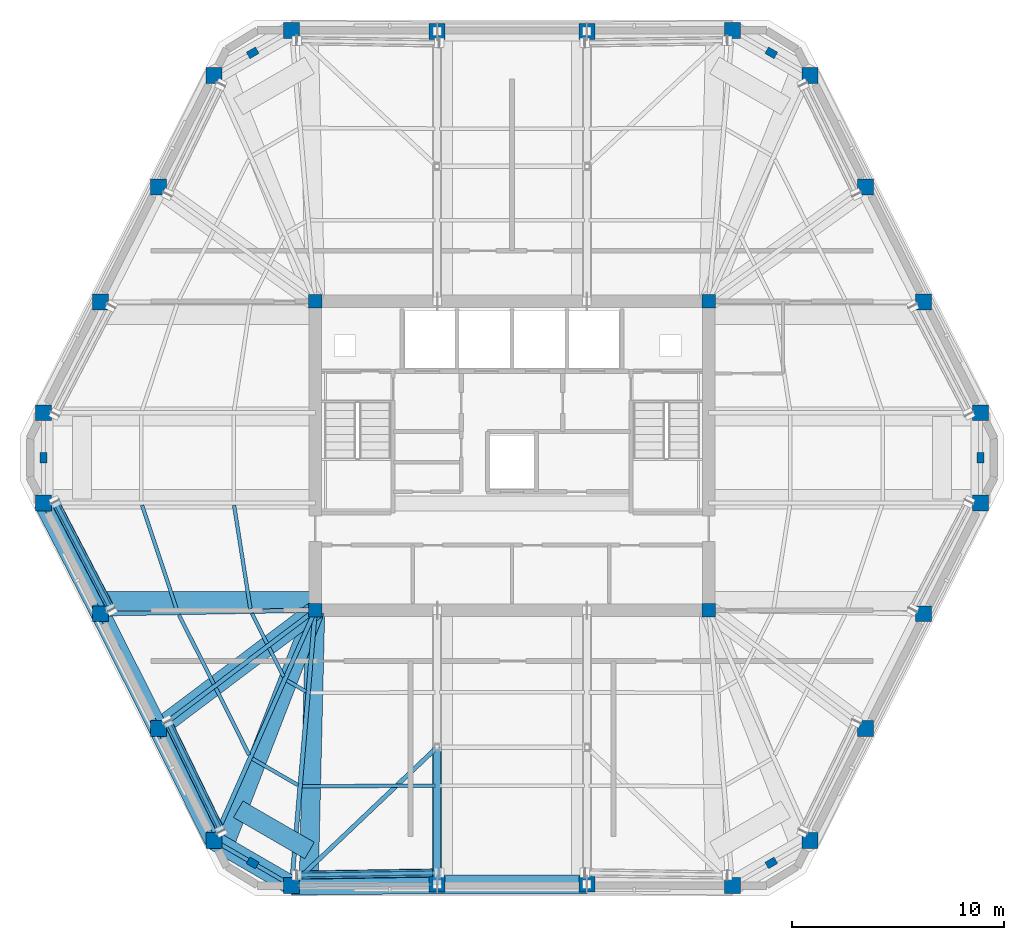
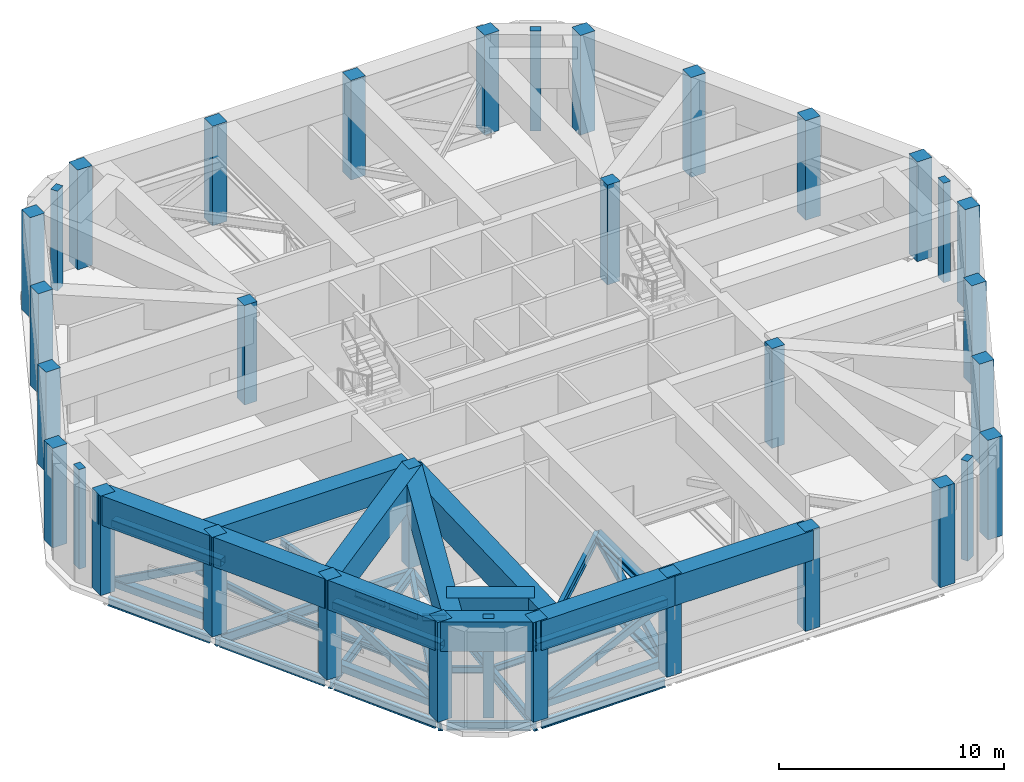
# One storey, part 1 of 15: 34 columns, 30 beams, 12 members.
"""IFC4 building model written with IfcOpenShell, lengths in metres."""

from ifc_helpers import new_model, si_unit, direction, frame, origin, origin_2d, place, context, subcontext, project, spatial, rectangle, hollow_rectangle, i_section, extrude, material, material_profile, profile_set, type_object, element, save


model = new_model("IFC4")

# Units and contexts
model_context = context("Model", 3, precision=1e-05, world=origin(), true_north=direction((0.0, 1.0)))
body_context = subcontext(model_context, "Body", "Model", "MODEL_VIEW")
ifc_project = project(units=[si_unit("LENGTHUNIT", "METRE"), si_unit("AREAUNIT", "SQUARE_METRE"), si_unit("VOLUMEUNIT", "CUBIC_METRE"), si_unit("PLANEANGLEUNIT", "RADIAN"), si_unit("MASSUNIT", "GRAM", prefix="KILO")], contexts=[model_context])

# Site, building, storey
site_placement = place(None, origin())
site = spatial("IfcSite", under=ifc_project, at=site_placement, CompositionType="ELEMENT")
building_placement = place(site_placement, origin())
building = spatial("IfcBuilding", under=site, at=building_placement, Name="Cinnabar Lancet Tower", CompositionType="ELEMENT")
storey_placement = place(building_placement, frame((0.0, 0.0, 221.60009765625)))
storey = spatial("IfcBuildingStorey", under=building, at=storey_placement, Name="L59", CompositionType="ELEMENT", Elevation=221.60009765625)

# Columns
ifc_material_1 = material(Name="Concrete C60/75", Category="concrete")
ifc_material_profile_1 = material_profile(ifc_material_1, rectangle(XDim=0.64990234375, YDim=0.64990234375, at=origin_2d()), Name="RC-COL 650x650")
ifc_profile_set_1 = profile_set([ifc_material_profile_1], Name="Concrete C60/75")
column_type_1 = type_object("IfcColumnType", Name="STR-COL-CORE-650", PredefinedType="COLUMN", material=ifc_profile_set_1)
for number, where, z_axis, x_axis, name in (
    (1, (23.10009765625, 18.60009765625, 0.0), (0.0, 0.0, 1.0), (1.0, 0.0, 0.0), "L59 Core Corner Column SW"),
    (2, (41.699951171875, 18.60009765625, 0.0), (0.0, 0.0, 1.0), (1.0, 0.0, 0.0), "L59 Core Corner Column SE"),
    (3, (41.699951171875, 33.199951171875, 0.0), (0.0, 0.0, 1.0), (1.0, 0.0, 0.0), "L59 Core Corner Column NE"),
    (4, (23.10009765625, 33.199951171875, 0.0), (0.0, 0.0, 1.0), (1.0, 0.0, 0.0), "L59 Core Corner Column NW"),
):
    element("IfcColumn", number, at=place(storey_placement, frame(where, z_axis=z_axis, x_axis=x_axis)), inside=storey, type_object=column_type_1, Name=name, PredefinedType="COLUMN", context=body_context, shape_type="SweptSolid", body=[
        extrude(rectangle(XDim=0.64990234375, YDim=0.64990234375, at=origin_2d()), origin(), (0.0, 0.0, 1.0), 5.39990234375),
    ])
ifc_material_2 = material(Name="Concrete C60/75", Category="concrete")
ifc_material_profile_2 = material_profile(ifc_material_2, rectangle(XDim=0.5, YDim=0.35009765625, at=origin_2d()), Name="RC-PIL 500x350")
ifc_profile_set_2 = profile_set([ifc_material_profile_2], Name="Concrete C60/75")
column_type_2 = type_object("IfcColumnType", Name="STR-COL-PIL-500", PredefinedType="PILASTER", material=ifc_profile_set_2)
for number, where, z_axis, x_axis, name in (
    (5, (20.14208984375, 6.654052734375, 0.0), (0.0, 0.0, 1.0), (0.865230187018, -0.501374833306, 0.0), "L59 Chamfered Corner Pilaster 1"),
    (6, (44.657958984375, 6.654052734375, 0.0), (0.0, 0.0, 1.0), (0.865230187018, 0.501374833306, 0.0), "L59 Chamfered Corner Pilaster 2"),
    (7, (54.547119140625, 25.800048828125, 0.0), (0.0, 0.0, 1.0), (0.0, 1.0, 0.0), "L59 Chamfered Corner Pilaster 3"),
    (8, (44.657958984375, 44.947021484375, 0.0), (0.0, 0.0, 1.0), (-0.865230187018, 0.501374833306, 0.0), "L59 Chamfered Corner Pilaster 4"),
    (9, (20.14208984375, 44.947021484375, 0.0), (0.0, 0.0, 1.0), (-0.865230187018, -0.501374833306, 0.0), "L59 Chamfered Corner Pilaster 5"),
    (10, (10.2529296875, 25.800048828125, 0.0), (0.0, 0.0, 1.0), (0.0, -1.0, 0.0), "L59 Chamfered Corner Pilaster 6"),
):
    element("IfcColumn", number, at=place(storey_placement, frame(where, z_axis=z_axis, x_axis=x_axis)), inside=storey, type_object=column_type_2, Name=name, PredefinedType="PILASTER", context=body_context, shape_type="SweptSolid", body=[
        extrude(rectangle(XDim=0.5, YDim=0.35009765625, at=origin_2d()), origin(), (0.0, 0.0, 1.0), 5.39990234375),
    ])
ifc_material_3 = material(Name="Concrete C50/60", Category="concrete")
ifc_material_profile_3 = material_profile(ifc_material_3, rectangle(XDim=0.75, YDim=0.75, at=origin_2d()), Name="RC-COL 750x750")
ifc_profile_set_3 = profile_set([ifc_material_profile_3], Name="Concrete C50/60")
column_type_3 = type_object("IfcColumnType", Name="STR-COL-TUBE-750", PredefinedType="COLUMN", material=ifc_profile_set_3)
for number, where, z_axis, x_axis, name in (
    (11, (21.97900390625, 5.589111328125, 0.0), (0.0, 0.0, 1.0), (1.0, 0.0, 0.0), "L59 Perimeter Tube Column 1"),
    (12, (28.85693359375, 5.64208984375, 0.0), (0.0, 0.0, 1.0), (1.0, 0.0, 0.0), "L59 Perimeter Tube Column 2"),
    (13, (35.943115234375, 5.64208984375, 0.0), (0.0, 0.0, 1.0), (1.0, 0.0, 0.0), "L59 Perimeter Tube Column 3"),
    (14, (42.821044921875, 5.589111328125, 0.0), (0.0, 0.0, 1.0), (1.0, 0.0, 0.0), "L59 Perimeter Tube Column 4"),
    (15, (46.4951171875, 7.718017578125, 0.0), (0.0, 0.0, 1.0), (1.0, 0.0, 0.0), "L59 Perimeter Tube Column 5"),
    (16, (49.118896484375, 13.0009765625, 0.0), (0.0, 0.0, 1.0), (1.0, 0.0, 0.0), "L59 Perimeter Tube Column 6"),
    (17, (51.85791015625, 18.428955078125, 0.0), (0.0, 0.0, 1.0), (1.0, 0.0, 0.0), "L59 Perimeter Tube Column 7"),
    (18, (54.547119140625, 23.66796875, 0.0), (0.0, 0.0, 1.0), (1.0, 0.0, 0.0), "L59 Perimeter Tube Column 8"),
    (19, (54.547119140625, 27.931884765625, 0.0), (0.0, 0.0, 1.0), (1.0, 0.0, 0.0), "L59 Perimeter Tube Column 9"),
    (20, (51.85791015625, 33.1708984375, 0.0), (0.0, 0.0, 1.0), (1.0, 0.0, 0.0), "L59 Perimeter Tube Column 10"),
    (21, (49.118896484375, 38.59912109375, 0.0), (0.0, 0.0, 1.0), (1.0, 0.0, 0.0), "L59 Perimeter Tube Column 11"),
    (22, (46.4951171875, 43.882080078125, 0.0), (0.0, 0.0, 1.0), (1.0, 0.0, 0.0), "L59 Perimeter Tube Column 12"),
    (23, (42.821044921875, 46.010986328125, 0.0), (0.0, 0.0, 1.0), (1.0, 0.0, 0.0), "L59 Perimeter Tube Column 13"),
    (24, (35.943115234375, 45.9580078125, 0.0), (0.0, 0.0, 1.0), (1.0, 0.0, 0.0), "L59 Perimeter Tube Column 14"),
    (25, (28.85693359375, 45.9580078125, 0.0), (0.0, 0.0, 1.0), (1.0, 0.0, 0.0), "L59 Perimeter Tube Column 15"),
    (26, (21.97900390625, 46.010986328125, 0.0), (0.0, 0.0, 1.0), (1.0, 0.0, 0.0), "L59 Perimeter Tube Column 16"),
    (27, (18.304931640625, 43.882080078125, 0.0), (0.0, 0.0, 1.0), (1.0, 0.0, 0.0), "L59 Perimeter Tube Column 17"),
    (28, (15.680908203125, 38.59912109375, 0.0), (0.0, 0.0, 1.0), (1.0, 0.0, 0.0), "L59 Perimeter Tube Column 18"),
    (29, (12.94189453125, 33.1708984375, 0.0), (0.0, 0.0, 1.0), (1.0, 0.0, 0.0), "L59 Perimeter Tube Column 19"),
    (30, (10.2529296875, 27.931884765625, 0.0), (0.0, 0.0, 1.0), (1.0, 0.0, 0.0), "L59 Perimeter Tube Column 20"),
    (31, (10.2529296875, 23.66796875, 0.0), (0.0, 0.0, 1.0), (1.0, 0.0, 0.0), "L59 Perimeter Tube Column 21"),
    (32, (12.94189453125, 18.428955078125, 0.0), (0.0, 0.0, 1.0), (1.0, 0.0, 0.0), "L59 Perimeter Tube Column 22"),
    (33, (15.680908203125, 13.0009765625, 0.0), (0.0, 0.0, 1.0), (1.0, 0.0, 0.0), "L59 Perimeter Tube Column 23"),
    (34, (18.304931640625, 7.718017578125, 0.0), (0.0, 0.0, 1.0), (1.0, 0.0, 0.0), "L59 Perimeter Tube Column 24"),
):
    element("IfcColumn", number, at=place(storey_placement, frame(where, z_axis=z_axis, x_axis=x_axis)), inside=storey, type_object=column_type_3, Name=name, PredefinedType="COLUMN", context=body_context, shape_type="SweptSolid", body=[
        extrude(rectangle(XDim=0.75, YDim=0.75, at=origin_2d()), origin(), (0.0, 0.0, 1.0), 5.39990234375),
    ])

# Beams
ifc_material_4 = material(Name="Concrete C70/85", Category="concrete")
ifc_material_profile_4 = material_profile(ifc_material_4, rectangle(XDim=0.89990234375, YDim=1.60009765625, at=origin_2d()), Name="RC-BG 900x1600")
ifc_profile_set_4 = profile_set([ifc_material_profile_4], Name="Concrete C70/85")
beam_type_1 = type_object("IfcBeamType", Name="STR-BM-BG-1600", PredefinedType="BEAM", material=ifc_profile_set_4)
beam_1_placement = place(storey_placement, frame((21.97900390625, 5.589111328125, 4.599853515625), z_axis=(0.999970335653, 0.00770245502, 0.0), x_axis=(-0.00770245502, 0.999970335653, 0.0)))
element("IfcBeam", 35, at=beam_1_placement, inside=storey, type_object=beam_type_1, Name="L60 Setback Outer Ring Girder 1", PredefinedType="BEAM", context=body_context, shape_type="SweptSolid", body=[
    extrude(rectangle(XDim=0.89990234375, YDim=1.60009765625, at=origin_2d()), origin(), (0.0, 0.0, 1.0), 6.878173828125),
])
beam_2_placement = place(storey_placement, frame((28.85693359375, 5.64208984375, 4.599853515625), z_axis=(1.0, 0.0, 0.0), x_axis=(0.0, 1.0, 0.0)))
element("IfcBeam", 36, at=beam_2_placement, inside=storey, type_object=beam_type_1, Name="L60 Setback Outer Ring Girder 2", PredefinedType="BEAM", context=body_context, shape_type="SweptSolid", body=[
    extrude(rectangle(XDim=0.89990234375, YDim=1.60009765625, at=origin_2d()), origin(), (0.0, 0.0, 1.0), 7.086181640625),
])
beam_3_placement = place(storey_placement, frame((10.2529296875, 23.66796875, 4.599853515625), z_axis=(0.456624678351, -0.889659430974, 0.0), x_axis=(0.889659430974, 0.456624678351, 0.0)))
element("IfcBeam", 37, at=beam_3_placement, inside=storey, type_object=beam_type_1, Name="L60 Setback Outer Ring Girder 21", PredefinedType="BEAM", context=body_context, shape_type="SweptSolid", body=[
    extrude(rectangle(XDim=0.89990234375, YDim=1.60009765625, at=origin_2d()), origin(), (0.0, 0.0, 1.0), 5.888671875),
])
beam_4_placement = place(storey_placement, frame((12.94189453125, 18.428955078125, 4.599853515625), z_axis=(0.450503306898, -0.892774759093, 0.0), x_axis=(0.892774759093, 0.450503306898, 0.0)))
element("IfcBeam", 38, at=beam_4_placement, inside=storey, type_object=beam_type_1, Name="L60 Setback Outer Ring Girder 22", PredefinedType="BEAM", context=body_context, shape_type="SweptSolid", body=[
    extrude(rectangle(XDim=0.89990234375, YDim=1.60009765625, at=origin_2d()), origin(), (0.0, 0.0, 1.0), 6.079833984375),
])
beam_5_placement = place(storey_placement, frame((15.680908203125, 13.0009765625, 4.599853515625), z_axis=(0.444844601392, -0.895607771635, 0.0), x_axis=(0.895607771635, 0.444844601392, 0.0)))
element("IfcBeam", 39, at=beam_5_placement, inside=storey, type_object=beam_type_1, Name="L60 Setback Outer Ring Girder 23", PredefinedType="BEAM", context=body_context, shape_type="SweptSolid", body=[
    extrude(rectangle(XDim=0.89990234375, YDim=1.60009765625, at=origin_2d()), origin(), (0.0, 0.0, 1.0), 5.898681640625),
])
beam_6_placement = place(storey_placement, frame((18.304931640625, 7.718017578125, 4.599853515625), z_axis=(0.865241216859, -0.501355798459, 0.0), x_axis=(0.501355798459, 0.865241216859, 0.0)))
element("IfcBeam", 40, at=beam_6_placement, inside=storey, type_object=beam_type_1, Name="L60 Setback Outer Ring Girder 24", PredefinedType="BEAM", context=body_context, shape_type="SweptSolid", body=[
    extrude(rectangle(XDim=0.89990234375, YDim=1.60009765625, at=origin_2d()), origin(), (0.0, 0.0, 1.0), 4.246337890625),
])
beam_7_placement = place(storey_placement, frame((22.7890625, 5.595947265625, 4.599853515625), z_axis=(0.023911306539, 0.999714083836, 0.0), x_axis=(-0.999714083836, 0.023911306539, 0.0)))
element("IfcBeam", 41, at=beam_7_placement, inside=storey, type_object=beam_type_1, Name="L60 Setback Continuous Radial Transfer Girder 1", PredefinedType="BEAM", context=body_context, shape_type="SweptSolid", body=[
    extrude(rectangle(XDim=0.89990234375, YDim=1.60009765625, at=origin_2d()), origin(), (0.0, 0.0, 1.0), 13.0078125),
])
beam_8_placement = place(storey_placement, frame((12.841064453125, 19.032958984375, 4.599853515625), z_axis=(1.0, 0.0, 0.0), x_axis=(0.0, 1.0, 0.0)))
element("IfcBeam", 42, at=beam_8_placement, inside=storey, type_object=beam_type_1, Name="L60 Setback Continuous Radial Transfer Girder 22", PredefinedType="BEAM", context=body_context, shape_type="SweptSolid", body=[
    extrude(rectangle(XDim=0.89990234375, YDim=1.60009765625, at=origin_2d()), origin(), (0.0, 0.0, 1.0), 10.259033203125),
])
beam_9_placement = place(storey_placement, frame((15.697998046875, 13.027099609375, 4.599853515625), z_axis=(0.798888792815, 0.601478758323, 0.0), x_axis=(-0.601478758323, 0.798888792815, 0.0)))
element("IfcBeam", 43, at=beam_9_placement, inside=storey, type_object=beam_type_1, Name="L60 Setback Continuous Radial Transfer Girder 23", PredefinedType="BEAM", context=body_context, shape_type="SweptSolid", body=[
    extrude(rectangle(XDim=0.89990234375, YDim=1.60009765625, at=origin_2d()), origin(), (0.0, 0.0, 1.0), 9.265380859375),
])
beam_10_placement = place(storey_placement, frame((18.85009765625, 7.616943359375, 4.599853515625), z_axis=(0.360880109126, 0.932612216753, 0.0), x_axis=(-0.932612216753, 0.360880109126, 0.0)))
element("IfcBeam", 44, at=beam_10_placement, inside=storey, type_object=beam_type_1, Name="L60 Setback Continuous Radial Transfer Girder 24", PredefinedType="BEAM", context=body_context, shape_type="SweptSolid", body=[
    extrude(rectangle(XDim=0.89990234375, YDim=1.60009765625, at=origin_2d()), origin(), (0.0, 0.0, 1.0), 11.77685546875),
])
beam_11_placement = place(storey_placement, frame((19.458984375, 9.19091796875, 4.599853515625), z_axis=(0.865260240017, -0.501322966805, 0.0), x_axis=(0.501322966805, 0.865260240017, 0.0)))
element("IfcBeam", 45, at=beam_11_placement, inside=storey, type_object=beam_type_1, Name="L60 Setback Pilaster Transfer Chord 1", PredefinedType="BEAM", context=body_context, shape_type="SweptSolid", body=[
    extrude(rectangle(XDim=0.89990234375, YDim=1.60009765625, at=origin_2d()), origin(), (0.0, 0.0, 1.0), 3.8935546875),
])
ifc_material_5 = material(Name="Structural steel S355", Category="steel")
ifc_material_profile_5 = material_profile(ifc_material_5, i_section(OverallWidth=0.17138671875, OverallDepth=0.35498046875, WebThickness=0.00732421875, FlangeThickness=0.011474609375, FilletRadius=0.01025390625, at=origin_2d()), Name="UKB 356x171x51")
ifc_profile_set_5 = profile_set([ifc_material_profile_5], Name="Structural steel S355")
beam_type_2 = type_object("IfcBeamType", Name="STR-BM-JST-356", PredefinedType="JOIST", material=ifc_profile_set_5)
beam_12_placement = place(storey_placement, frame((14.9130859375, 23.56298828125, -0.4580078125), z_axis=(0.315346227037, -0.948976689436, 0.0), x_axis=(0.948976689436, 0.315346227037, 0.0)))
element("IfcBeam", 46, at=beam_12_placement, inside=storey, type_object=beam_type_2, Name="L59 Secondary Floor Joist 1", PredefinedType="JOIST", context=body_context, shape_type="SweptSolid", body=[
    extrude(i_section(OverallWidth=0.17138671875, OverallDepth=0.35498046875, WebThickness=0.00732421875, FlangeThickness=0.011474609375, FilletRadius=0.01025390625, at=origin_2d()), origin(), (0.0, 0.0, 1.0), 5.235107421875),
])
beam_13_placement = place(storey_placement, frame((19.261962890625, 23.56298828125, -0.4580078125), z_axis=(0.155702775827, -0.987803950994, 0.0), x_axis=(0.987803950994, 0.155702775827, 0.0)))
element("IfcBeam", 47, at=beam_13_placement, inside=storey, type_object=beam_type_2, Name="L59 Secondary Floor Joist 2", PredefinedType="JOIST", context=body_context, shape_type="SweptSolid", body=[
    extrude(i_section(OverallWidth=0.17138671875, OverallDepth=0.35498046875, WebThickness=0.00732421875, FlangeThickness=0.011474609375, FilletRadius=0.01025390625, at=origin_2d()), origin(), (0.0, 0.0, 1.0), 4.970458984375),
])
beam_14_placement = place(storey_placement, frame((16.65087890625, 18.386962890625, -0.4580078125), z_axis=(0.45061776862, -0.892716991327, 0.0), x_axis=(0.892716991327, 0.45061776862, 0.0)))
element("IfcBeam", 48, at=beam_14_placement, inside=storey, type_object=beam_type_2, Name="L59 Secondary Floor Joist 3", PredefinedType="JOIST", context=body_context, shape_type="SweptSolid", body=[
    extrude(i_section(OverallWidth=0.17138671875, OverallDepth=0.35498046875, WebThickness=0.00732421875, FlangeThickness=0.011474609375, FilletRadius=0.01025390625, at=origin_2d()), origin(), (0.0, 0.0, 1.0), 3.66845703125),
])
beam_15_placement = place(storey_placement, frame((20.10498046875, 18.445068359375, -0.4580078125), z_axis=(0.450137936259, -0.892959035085, 0.0), x_axis=(0.892959035085, 0.450137936259, 0.0)))
element("IfcBeam", 49, at=beam_15_placement, inside=storey, type_object=beam_type_2, Name="L59 Secondary Floor Joist 4", PredefinedType="JOIST", context=body_context, shape_type="SweptSolid", body=[
    extrude(i_section(OverallWidth=0.17138671875, OverallDepth=0.35498046875, WebThickness=0.00732421875, FlangeThickness=0.011474609375, FilletRadius=0.01025390625, at=origin_2d()), origin(), (0.0, 0.0, 1.0), 1.6015625),
])
beam_16_placement = place(storey_placement, frame((18.39892578125, 14.9208984375, -0.4580078125), z_axis=(0.445083338565, -0.895489152214, 0.0), x_axis=(0.895489152214, 0.445083338565, 0.0)))
element("IfcBeam", 50, at=beam_16_placement, inside=storey, type_object=beam_type_2, Name="L59 Secondary Floor Joist 5", PredefinedType="JOIST", context=body_context, shape_type="SweptSolid", body=[
    extrude(i_section(OverallWidth=0.17138671875, OverallDepth=0.35498046875, WebThickness=0.00732421875, FlangeThickness=0.011474609375, FilletRadius=0.01025390625, at=origin_2d()), origin(), (0.0, 0.0, 1.0), 3.531982421875),
])
beam_17_placement = place(storey_placement, frame((20.922119140625, 16.824951171875, -0.4580078125), z_axis=(0.444589856968, -0.895734256954, 0.0), x_axis=(0.895734256954, 0.444589856968, 0.0)))
element("IfcBeam", 51, at=beam_17_placement, inside=storey, type_object=beam_type_2, Name="L59 Secondary Floor Joist 6", PredefinedType="JOIST", context=body_context, shape_type="SweptSolid", body=[
    extrude(i_section(OverallWidth=0.17138671875, OverallDepth=0.35498046875, WebThickness=0.00732421875, FlangeThickness=0.011474609375, FilletRadius=0.01025390625, at=origin_2d()), origin(), (0.0, 0.0, 1.0), 1.527099609375),
])
beam_18_placement = place(storey_placement, frame((20.1220703125, 11.5830078125, -0.4580078125), z_axis=(0.865267839663, -0.501309849937, 0.0), x_axis=(0.501309849937, 0.865267839663, 0.0)))
element("IfcBeam", 52, at=beam_18_placement, inside=storey, type_object=beam_type_2, Name="L59 Secondary Floor Joist 7", PredefinedType="JOIST", context=body_context, shape_type="SweptSolid", body=[
    extrude(i_section(OverallWidth=0.17138671875, OverallDepth=0.35498046875, WebThickness=0.00732421875, FlangeThickness=0.011474609375, FilletRadius=0.01025390625, at=origin_2d()), origin(), (0.0, 0.0, 1.0), 2.497314453125),
])
beam_19_placement = place(storey_placement, frame((21.7529296875, 15.282958984375, -0.4580078125), z_axis=(0.8651881055, -0.501447446998, 0.0), x_axis=(0.501447446998, 0.8651881055, 0.0)))
element("IfcBeam", 53, at=beam_19_placement, inside=storey, type_object=beam_type_2, Name="L59 Secondary Floor Joist 8", PredefinedType="JOIST", context=body_context, shape_type="SweptSolid", body=[
    extrude(i_section(OverallWidth=0.17138671875, OverallDepth=0.35498046875, WebThickness=0.00732421875, FlangeThickness=0.011474609375, FilletRadius=0.01025390625, at=origin_2d()), origin(), (0.0, 0.0, 1.0), 1.05322265625),
])
beam_20_placement = place(storey_placement, frame((22.488037109375, 10.27392578125, -0.4580078125), z_axis=(0.999986965561, 0.005105752523, 0.0), x_axis=(-0.005105752523, 0.999986965561, 0.0)))
element("IfcBeam", 54, at=beam_20_placement, inside=storey, type_object=beam_type_2, Name="L59 Secondary Floor Joist 9", PredefinedType="JOIST", context=body_context, shape_type="SweptSolid", body=[
    extrude(i_section(OverallWidth=0.17138671875, OverallDepth=0.35498046875, WebThickness=0.00732421875, FlangeThickness=0.011474609375, FilletRadius=0.01025390625, at=origin_2d()), origin(), (0.0, 0.0, 1.0), 6.263916015625),
])
ifc_material_6 = material(Name="Structural steel S355", Category="steel")
ifc_material_profile_6 = material_profile(ifc_material_6, i_section(OverallWidth=0.1904296875, OverallDepth=0.45703125, WebThickness=0.009033203125, FlangeThickness=0.014404296875, FilletRadius=0.01025390625, at=origin_2d()), Name="UKB 457x191x74")
ifc_profile_set_6 = profile_set([ifc_material_profile_6], Name="Structural steel S355")
beam_type_3 = type_object("IfcBeamType", Name="STR-BM-SPN-457", PredefinedType="SPANDREL", material=ifc_profile_set_6)
beam_21_placement = place(storey_placement, frame((22.22900390625, 5.591064453125, -0.509033203125), z_axis=(0.999970695686, 0.007655571089, 0.0), x_axis=(-0.007655571089, 0.999970695686, 0.0)))
element("IfcBeam", 55, at=beam_21_placement, inside=storey, type_object=beam_type_3, Name="L59 Perimeter Spandrel 1", PredefinedType="SPANDREL", context=body_context, shape_type="SweptSolid", body=[
    extrude(i_section(OverallWidth=0.1904296875, OverallDepth=0.45703125, WebThickness=0.009033203125, FlangeThickness=0.014404296875, FilletRadius=0.01025390625, at=origin_2d()), origin(), (0.0, 0.0, 1.0), 6.378173828125),
])
beam_22_placement = place(storey_placement, frame((10.366943359375, 23.446044921875, -0.509033203125), z_axis=(0.456592509812, -0.889675940994, 0.0), x_axis=(0.889675940994, 0.456592509812, 0.0)))
element("IfcBeam", 56, at=beam_22_placement, inside=storey, type_object=beam_type_3, Name="L59 Perimeter Spandrel 21", PredefinedType="SPANDREL", context=body_context, shape_type="SweptSolid", body=[
    extrude(i_section(OverallWidth=0.1904296875, OverallDepth=0.45703125, WebThickness=0.009033203125, FlangeThickness=0.014404296875, FilletRadius=0.01025390625, at=origin_2d()), origin(), (0.0, 0.0, 1.0), 5.389892578125),
])
beam_23_placement = place(storey_placement, frame((13.054931640625, 18.2060546875, -0.509033203125), z_axis=(0.450395996562, -0.892828900899, 0.0), x_axis=(0.892828900899, 0.450395996562, 0.0)))
element("IfcBeam", 57, at=beam_23_placement, inside=storey, type_object=beam_type_3, Name="L59 Perimeter Spandrel 22", PredefinedType="SPANDREL", context=body_context, shape_type="SweptSolid", body=[
    extrude(i_section(OverallWidth=0.1904296875, OverallDepth=0.45703125, WebThickness=0.009033203125, FlangeThickness=0.014404296875, FilletRadius=0.01025390625, at=origin_2d()), origin(), (0.0, 0.0, 1.0), 5.579833984375),
])
beam_24_placement = place(storey_placement, frame((15.7919921875, 12.777099609375, -0.509033203125), z_axis=(0.444914968367, -0.895572817208, 0.0), x_axis=(0.895572817208, 0.444914968367, 0.0)))
element("IfcBeam", 58, at=beam_24_placement, inside=storey, type_object=beam_type_3, Name="L59 Perimeter Spandrel 23", PredefinedType="SPANDREL", context=body_context, shape_type="SweptSolid", body=[
    extrude(i_section(OverallWidth=0.1904296875, OverallDepth=0.45703125, WebThickness=0.009033203125, FlangeThickness=0.014404296875, FilletRadius=0.01025390625, at=origin_2d()), origin(), (0.0, 0.0, 1.0), 5.39892578125),
])
beam_25_placement = place(storey_placement, frame((18.52099609375, 7.593017578125, -0.509033203125), z_axis=(0.865195717586, -0.501434313016, 0.0), x_axis=(0.501434313016, 0.865195717586, 0.0)))
element("IfcBeam", 59, at=beam_25_placement, inside=storey, type_object=beam_type_3, Name="L59 Perimeter Spandrel 24", PredefinedType="SPANDREL", context=body_context, shape_type="SweptSolid", body=[
    extrude(i_section(OverallWidth=0.1904296875, OverallDepth=0.45703125, WebThickness=0.009033203125, FlangeThickness=0.014404296875, FilletRadius=0.01025390625, at=origin_2d()), origin(), (0.0, 0.0, 1.0), 3.7470703125),
])
ifc_material_7 = material(Name="Structural steel S355", Category="steel")
ifc_material_profile_7 = material_profile(ifc_material_7, i_section(OverallWidth=0.209228515625, OverallDepth=0.533203125, WebThickness=0.010009765625, FlangeThickness=0.015625, FilletRadius=0.0126953125, at=origin_2d()), Name="UKB 533x210x92")
ifc_profile_set_7 = profile_set([ifc_material_profile_7], Name="Structural steel S355")
beam_type_4 = type_object("IfcBeamType", Name="STR-BM-UKB533-92", PredefinedType="BEAM", material=ifc_profile_set_7)
beam_26_placement = place(storey_placement, frame((15.680908203125, 13.0009765625, -0.547119140625), z_axis=(0.798202971293, 0.602388592703, 0.0), x_axis=(-0.602388592703, 0.798202971293, 0.0)))
element("IfcBeam", 60, at=beam_26_placement, inside=storey, type_object=beam_type_4, Name="L59 Corner Collector Girder 1", PredefinedType="BEAM", context=body_context, shape_type="SweptSolid", body=[
    extrude(i_section(OverallWidth=0.209228515625, OverallDepth=0.533203125, WebThickness=0.010009765625, FlangeThickness=0.015625, FilletRadius=0.0126953125, at=origin_2d()), origin(), (0.0, 0.0, 1.0), 9.294921875),
])
beam_27_placement = place(storey_placement, frame((21.97900390625, 5.589111328125, -0.547119140625), z_axis=(0.085847068729, 0.996308326167, 0.0), x_axis=(-0.996308326167, 0.085847068729, 0.0)))
element("IfcBeam", 61, at=beam_27_placement, inside=storey, type_object=beam_type_4, Name="L59 Primary Floor Girder 1", PredefinedType="BEAM", context=body_context, shape_type="SweptSolid", body=[
    extrude(i_section(OverallWidth=0.209228515625, OverallDepth=0.533203125, WebThickness=0.010009765625, FlangeThickness=0.015625, FilletRadius=0.0126953125, at=origin_2d()), origin(), (0.0, 0.0, 1.0), 13.05908203125),
])
beam_28_placement = place(storey_placement, frame((12.94189453125, 18.428955078125, -0.547119140625), z_axis=(0.999858107345, 0.016845331024, 0.0), x_axis=(-0.016845331024, 0.999858107345, 0.0)))
element("IfcBeam", 62, at=beam_28_placement, inside=storey, type_object=beam_type_4, Name="L59 Primary Floor Girder 22", PredefinedType="BEAM", context=body_context, shape_type="SweptSolid", body=[
    extrude(i_section(OverallWidth=0.209228515625, OverallDepth=0.533203125, WebThickness=0.010009765625, FlangeThickness=0.015625, FilletRadius=0.0126953125, at=origin_2d()), origin(), (0.0, 0.0, 1.0), 10.15966796875),
])
beam_29_placement = place(storey_placement, frame((18.304931640625, 7.718017578125, -0.547119140625), z_axis=(0.403235299754, 0.915096329919, 0.0), x_axis=(-0.915096329919, 0.403235299754, 0.0)))
element("IfcBeam", 63, at=beam_29_placement, inside=storey, type_object=beam_type_4, Name="L59 Primary Floor Girder 24", PredefinedType="BEAM", context=body_context, shape_type="SweptSolid", body=[
    extrude(i_section(OverallWidth=0.209228515625, OverallDepth=0.533203125, WebThickness=0.010009765625, FlangeThickness=0.015625, FilletRadius=0.0126953125, at=origin_2d()), origin(), (0.0, 0.0, 1.0), 11.891845703125),
])
beam_30_placement = place(storey_placement, frame((21.97900390625, 5.589111328125, 3.40283203125), z_axis=(0.725107384687, 0.688635811349, 0.0), x_axis=(-0.688635811349, 0.725107384687, 0.0)))
element("IfcBeam", 64, at=beam_30_placement, inside=storey, type_object=beam_type_4, Name="L59 Outrigger S Tie Beam 1", PredefinedType="BEAM", context=body_context, shape_type="SweptSolid", body=[
    extrude(i_section(OverallWidth=0.209228515625, OverallDepth=0.533203125, WebThickness=0.010009765625, FlangeThickness=0.015625, FilletRadius=0.0126953125, at=origin_2d()), origin(), (0.0, 0.0, 1.0), 9.4853515625),
])

# Members
ifc_material_8 = material(Name="Structural steel S460", Category="steel")
ifc_material_profile_8 = material_profile(ifc_material_8, hollow_rectangle(XDim=0.199951171875, YDim=0.39990234375, WallThickness=0.01611328125, InnerFilletRadius=0.008056640625, OuterFilletRadius=0.02392578125, at=origin_2d()), Name="RHS 400x200x16")
ifc_profile_set_8 = profile_set([ifc_material_profile_8], Name="Structural steel S460")
member_type_1 = type_object("IfcMemberType", Name="STR-MEM-BT-BRC400", PredefinedType="BRACE", material=ifc_profile_set_8)
member_1_placement = place(storey_placement, frame((22.23095703125, 6.077880859375, 0.219970703125), z_axis=(0.901226173432, 0.014240741961, 0.43311497964), x_axis=(-0.015799546043, 0.999875179382, 0.0)))
element("IfcMember", 65, at=member_1_placement, inside=storey, type_object=member_type_1, Name="L59 Belt Truss Face 1 Diagonal", PredefinedType="BRACE", context=body_context, shape_type="SweptSolid", body=[
    extrude(hollow_rectangle(XDim=0.199951171875, YDim=0.39990234375, WallThickness=0.01611328125, InnerFilletRadius=0.008056640625, OuterFilletRadius=0.02392578125, at=origin_2d()), origin(), (0.0, 0.0, 1.0), 7.45751953125),
])
member_2_placement = place(storey_placement, frame((10.800048828125, 23.720947265625, 0.219970703125), z_axis=(0.402861089297, -0.773097799546, 0.489921151889), x_axis=(0.886817259657, 0.46212027436, 0.0)))
element("IfcMember", 66, at=member_2_placement, inside=storey, type_object=member_type_1, Name="L59 Belt Truss Face 6 Diagonal", PredefinedType="BRACE", context=body_context, shape_type="SweptSolid", body=[
    extrude(hollow_rectangle(XDim=0.199951171875, YDim=0.39990234375, WallThickness=0.01611328125, InnerFilletRadius=0.008056640625, OuterFilletRadius=0.02392578125, at=origin_2d()), origin(), (0.0, 0.0, 1.0), 6.5927734375),
])
member_3_placement = place(storey_placement, frame((16.117919921875, 13.3349609375, 3.449951171875), z_axis=(0.382110580143, -0.784281688664, -0.488767569882), x_axis=(0.898978753093, 0.437992239071, 0.0)))
element("IfcMember", 67, at=member_3_placement, inside=storey, type_object=member_type_1, Name="L59 Belt Truss Face 6 Diagonal", PredefinedType="BRACE", context=body_context, shape_type="SweptSolid", body=[
    extrude(hollow_rectangle(XDim=0.199951171875, YDim=0.39990234375, WallThickness=0.01611328125, InnerFilletRadius=0.008056640625, OuterFilletRadius=0.02392578125, at=origin_2d()), origin(), (0.0, 0.0, 1.0), 6.6083984375),
])
ifc_material_9 = material(Name="Structural steel S460", Category="steel")
ifc_material_profile_9 = material_profile(ifc_material_9, hollow_rectangle(XDim=0.39990234375, YDim=0.39990234375, WallThickness=0.02001953125, InnerFilletRadius=0.010009765625, OuterFilletRadius=0.030029296875, at=origin_2d()), Name="SHS 400x400x20")
ifc_profile_set_9 = profile_set([ifc_material_profile_9], Name="Structural steel S460")
member_type_2 = type_object("IfcMemberType", Name="STR-MEM-BT-CHD400", PredefinedType="CHORD", material=ifc_profile_set_9)
for number, where, z_axis, x_axis, name in (
    (68, (22.23095703125, 6.077880859375, 0.219970703125), (0.999875179382, 0.015799546043, 0.0), (-0.015799546043, 0.999875179382, 0.0), "L59 Belt Truss Face 1 Chord BC"),
    (69, (22.23095703125, 6.077880859375, 3.449951171875), (0.999875179382, 0.015799546043, 0.0), (-0.015799546043, 0.999875179382, 0.0), "L59 Belt Truss Face 1 Chord TC"),
):
    element("IfcMember", number, at=place(storey_placement, frame(where, z_axis=z_axis, x_axis=x_axis)), inside=storey, type_object=member_type_2, Name=name, PredefinedType="CHORD", context=body_context, shape_type="SweptSolid", body=[
        extrude(hollow_rectangle(XDim=0.39990234375, YDim=0.39990234375, WallThickness=0.02001953125, InnerFilletRadius=0.010009765625, OuterFilletRadius=0.030029296875, at=origin_2d()), origin(), (0.0, 0.0, 1.0), 6.7216796875),
    ])
for number, where, z_axis, x_axis, name in (
    (70, (10.800048828125, 23.720947265625, 0.219970703125), (0.46212027436, -0.886817259657, 0.0), (0.886817259657, 0.46212027436, 0.0), "L59 Belt Truss Face 6 Chord BC"),
    (71, (10.800048828125, 23.720947265625, 3.449951171875), (0.46212027436, -0.886817259657, 0.0), (0.886817259657, 0.46212027436, 0.0), "L59 Belt Truss Face 6 Chord TC"),
):
    element("IfcMember", number, at=place(storey_placement, frame(where, z_axis=z_axis, x_axis=x_axis)), inside=storey, type_object=member_type_2, Name=name, PredefinedType="CHORD", context=body_context, shape_type="SweptSolid", body=[
        extrude(hollow_rectangle(XDim=0.39990234375, YDim=0.39990234375, WallThickness=0.02001953125, InnerFilletRadius=0.010009765625, OuterFilletRadius=0.030029296875, at=origin_2d()), origin(), (0.0, 0.0, 1.0), 5.747314453125),
    ])
for number, where, z_axis, x_axis, name in (
    (72, (16.117919921875, 13.3349609375, 0.219970703125), (0.437992239071, -0.898978753093, 0.0), (0.898978753093, 0.437992239071, 0.0), "L59 Belt Truss Face 6 Chord BC"),
    (73, (16.117919921875, 13.3349609375, 3.449951171875), (0.437992239071, -0.898978753093, 0.0), (0.898978753093, 0.437992239071, 0.0), "L59 Belt Truss Face 6 Chord TC"),
):
    element("IfcMember", number, at=place(storey_placement, frame(where, z_axis=z_axis, x_axis=x_axis)), inside=storey, type_object=member_type_2, Name=name, PredefinedType="CHORD", context=body_context, shape_type="SweptSolid", body=[
        extrude(hollow_rectangle(XDim=0.39990234375, YDim=0.39990234375, WallThickness=0.02001953125, InnerFilletRadius=0.010009765625, OuterFilletRadius=0.030029296875, at=origin_2d()), origin(), (0.0, 0.0, 1.0), 5.765380859375),
    ])
ifc_material_10 = material(Name="Structural steel S460", Category="steel")
ifc_material_profile_10 = material_profile(ifc_material_10, hollow_rectangle(XDim=0.35009765625, YDim=0.35009765625, WallThickness=0.01611328125, InnerFilletRadius=0.008056640625, OuterFilletRadius=0.02392578125, at=origin_2d()), Name="SHS 350x350x16")
ifc_profile_set_10 = profile_set([ifc_material_profile_10], Name="Structural steel S460")
member_type_3 = type_object("IfcMemberType", Name="STR-MEM-OT-BRC350", PredefinedType="BRACE", material=ifc_profile_set_10)
member_4_placement = place(storey_placement, frame((28.85693359375, 12.12109375, 3.449951171875), z_axis=(0.0, -0.8949526578, -0.44616111473), x_axis=(1.0, 0.0, 0.0)))
element("IfcMember", 74, at=member_4_placement, inside=storey, type_object=member_type_3, Name="L59 Outrigger Truss 1 Diagonal 2", PredefinedType="BRACE", context=body_context, shape_type="SweptSolid", body=[
    extrude(hollow_rectangle(XDim=0.35009765625, YDim=0.35009765625, WallThickness=0.01611328125, InnerFilletRadius=0.008056640625, OuterFilletRadius=0.02392578125, at=origin_2d()), origin(), (0.0, 0.0, 1.0), 7.239501953125),
])
ifc_material_11 = material(Name="Structural steel S460", Category="steel")
ifc_material_profile_11 = material_profile(ifc_material_11, i_section(OverallWidth=0.412109375, OverallDepth=0.43505859375, WebThickness=0.035888671875, FlangeThickness=0.05810546875, FilletRadius=0.014892578125, at=origin_2d()), Name="HD 400x463")
ifc_profile_set_11 = profile_set([ifc_material_profile_11], Name="Structural steel S460")
member_type_4 = type_object("IfcMemberType", Name="STR-MEM-OT-CHD463", PredefinedType="CHORD", material=ifc_profile_set_11)
for number, where, z_axis, x_axis, name in (
    (75, (28.85693359375, 12.12109375, 0.219970703125), (0.0, -1.0, 0.0), (1.0, 0.0, 0.0), "L59 Outrigger Truss 1 Chord BC2"),
    (76, (28.85693359375, 12.12109375, 3.449951171875), (0.0, -1.0, 0.0), (1.0, 0.0, 0.0), "L59 Outrigger Truss 1 Chord TC2"),
):
    element("IfcMember", number, at=place(storey_placement, frame(where, z_axis=z_axis, x_axis=x_axis)), inside=storey, type_object=member_type_4, Name=name, PredefinedType="CHORD", context=body_context, shape_type="SweptSolid", body=[
        extrude(i_section(OverallWidth=0.412109375, OverallDepth=0.43505859375, WebThickness=0.035888671875, FlangeThickness=0.05810546875, FilletRadius=0.014892578125, at=origin_2d()), origin(), (0.0, 0.0, 1.0), 6.47900390625),
    ])

save(model, "model.ifc")
